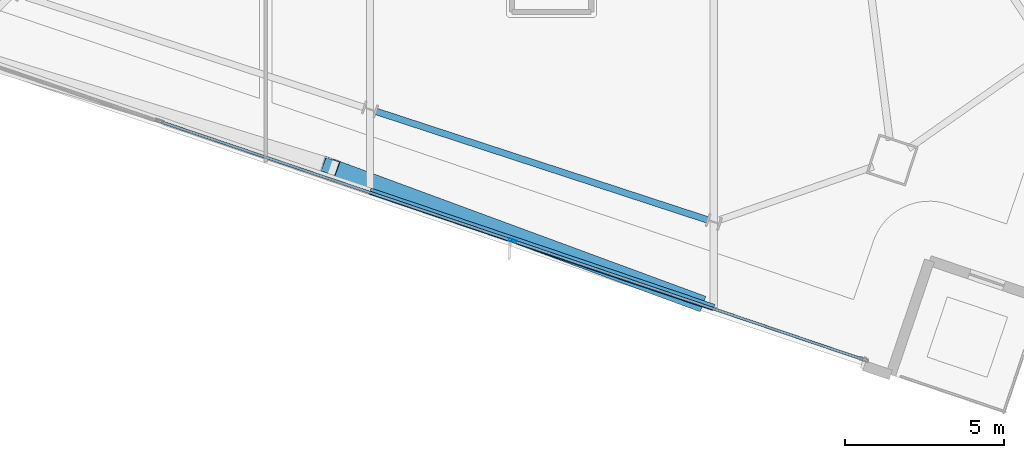
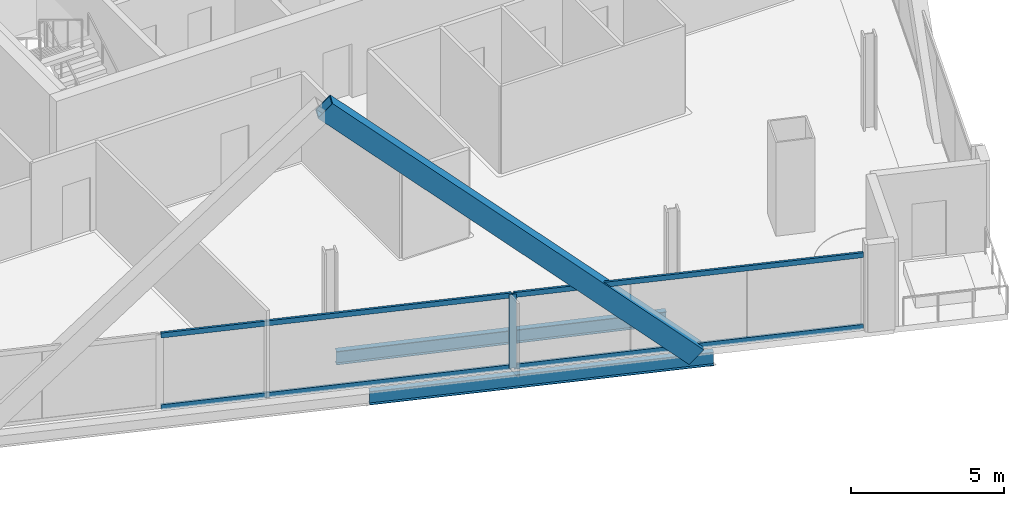
# One storey, part 3 of 29: 6 members, 2 beams, 1 element without a shape of its own.
"""IFC4 building model written with IfcOpenShell, lengths in metres."""

from ifc_helpers import new_model, si_unit, direction, frame, origin, origin_2d, place, context, subcontext, project, spatial, hollow_rectangle, i_section, extrude, material, material_profile, profile_set, type_object, element, aggregate, save


model = new_model("IFC4")

# Units and contexts
model_context = context("Model", 3, precision=1e-05, world=origin(), true_north=direction((0.0, 1.0)))
body_context = subcontext(model_context, "Body", "Model", "MODEL_VIEW")
ifc_project = project(units=[si_unit("LENGTHUNIT", "METRE"), si_unit("AREAUNIT", "SQUARE_METRE"), si_unit("VOLUMEUNIT", "CUBIC_METRE"), si_unit("PLANEANGLEUNIT", "RADIAN"), si_unit("MASSUNIT", "GRAM", prefix="KILO")], contexts=[model_context])

# Site, building, storey
site_placement = place(None, origin())
site = spatial("IfcSite", under=ifc_project, at=site_placement, CompositionType="ELEMENT")
building_placement = place(site_placement, origin())
building = spatial("IfcBuilding", under=site, at=building_placement, Name="Haldenkirk Collegiate Tower", CompositionType="ELEMENT")
storey_placement = place(building_placement, frame((0.0, 0.0, 267.449951171875)))
storey = spatial("IfcBuildingStorey", under=building, at=storey_placement, Name="L67", CompositionType="ELEMENT", Elevation=267.449951171875)

# Beams
ifc_material_1 = material(Name="Steel ASTM A992 Grade 50", Category="steel")
ifc_material_profile_1 = material_profile(ifc_material_1, i_section(OverallWidth=0.2099609375, OverallDepth=0.537109375, WebThickness=0.010986328125, FlangeThickness=0.017333984375, at=origin_2d()), Name="W21X68")
ifc_profile_set_1 = profile_set([ifc_material_profile_1], Name="Steel ASTM A992 Grade 50")
beam_type = type_object("IfcBeamType", Name="BM-SPANDREL-W21X68", PredefinedType="SPANDREL", material=ifc_profile_set_1)
beam_1_placement = place(storey_placement, frame((30.4755859375, 5.97509765625, -0.538330078125), z_axis=(0.95040429397, -0.311017166733, 0.0), x_axis=(0.311017166733, 0.95040429397, 0.0)))
element("IfcBeam", 1, at=beam_1_placement, inside=storey, type_object=beam_type, Name="L67 perimeter spandrel beam 15", PredefinedType="SPANDREL", context=body_context, shape_type="SweptSolid", body=[
    extrude(i_section(OverallWidth=0.2099609375, OverallDepth=0.537109375, WebThickness=0.010986328125, FlangeThickness=0.017333984375, at=origin_2d()), origin(), (0.0, 0.0, 1.0), 10.988037109375),
])
beam_2_placement = place(storey_placement, frame((30.283203125, 3.463134765625, -0.538330078125), z_axis=(0.947210182266, -0.32061327267, 0.0), x_axis=(0.32061327267, 0.947210182266, 0.0)))
element("IfcBeam", 2, at=beam_2_placement, inside=storey, type_object=beam_type, Name="L67 outer facade edge beam 4B", PredefinedType="SPANDREL", context=body_context, shape_type="SweptSolid", body=[
    extrude(i_section(OverallWidth=0.2099609375, OverallDepth=0.537109375, WebThickness=0.010986328125, FlangeThickness=0.017333984375, at=origin_2d()), origin(), (0.0, 0.0, 1.0), 11.431396484375),
])

# Curtain wall, members
ifc_material_2 = material(Name="Anodised architectural bronze aluminium", Category="aluminium")
curtain_wall_type = type_object("IfcCurtainWallType", Name="CW-SYS1B-CONVEX-HI", PredefinedType="USERDEFINED", material=ifc_material_2)
curtain_wall_placement = place(storey_placement, origin())
curtain_wall = element("IfcCurtainWall", 3, at=curtain_wall_placement, inside=storey, type_object=curtain_wall_type, Name="L67 Upper tower high-wind convex bronze unitised curtain wall", ObjectType="UNITISED CURTAIN WALL", PredefinedType="USERDEFINED")
ifc_material_profile_2 = material_profile(ifc_material_2, hollow_rectangle(XDim=0.0849609375, YDim=0.25, WallThickness=0.0048828125, at=origin_2d()), Name="CW-MUL-1B")
ifc_profile_set_2 = profile_set([ifc_material_profile_2], Name="Anodised architectural bronze aluminium")
member_type_1 = type_object("IfcMemberType", Name="CW-MUL-1B", PredefinedType="MULLION", material=ifc_profile_set_2)
member_1_placement = place(storey_placement, frame((34.775390625, 1.900390625, 0.0), z_axis=(0.0, 0.0, 1.0), x_axis=(-0.320611036427, -0.94721093919, 0.0)))
member_1 = element("IfcMember", 4, at=member_1_placement, type_object=member_type_1, Name="CW-1B mullion 2", PredefinedType="MULLION", context=body_context, shape_type="SweptSolid", body=[
    extrude(hollow_rectangle(XDim=0.0849609375, YDim=0.25, WallThickness=0.0048828125, at=origin_2d()), origin(), (0.0, 0.0, 1.0), 2.93798828125),
])
ifc_material_profile_3 = material_profile(ifc_material_2, hollow_rectangle(XDim=0.0849609375, YDim=0.199951171875, WallThickness=0.0048828125, at=origin_2d()), Name="CW-TRN-1B")
ifc_profile_set_3 = profile_set([ifc_material_profile_3], Name="Anodised architectural bronze aluminium")
member_type_2 = type_object("IfcMemberType", Name="CW-TRN-1B", PredefinedType="USERDEFINED", material=ifc_profile_set_3)
member_2_placement = place(storey_placement, frame((45.808837890625, -1.834228515625, 0.04248046875), z_axis=(-0.947211153823, 0.320610402315, 0.0), x_axis=(-0.320610402315, -0.947211153823, 0.0)))
member_2 = element("IfcMember", 5, at=member_2_placement, type_object=member_type_2, Name="CW-1B transom 1.1", ObjectType="TRANSOM", PredefinedType="USERDEFINED", context=body_context, shape_type="SweptSolid", body=[
    extrude(hollow_rectangle(XDim=0.0849609375, YDim=0.199951171875, WallThickness=0.0048828125, at=origin_2d()), origin(), (0.0, 0.0, 1.0), 11.605712890625),
])
member_3_placement = place(storey_placement, frame((45.808837890625, -1.834228515625, 2.8955078125), z_axis=(-0.947211153823, 0.320610402315, 0.0), x_axis=(-0.320610402315, -0.947211153823, 0.0)))
member_3 = element("IfcMember", 6, at=member_3_placement, type_object=member_type_2, Name="CW-1B transom 1.2", ObjectType="TRANSOM", PredefinedType="USERDEFINED", context=body_context, shape_type="SweptSolid", body=[
    extrude(hollow_rectangle(XDim=0.0849609375, YDim=0.199951171875, WallThickness=0.0048828125, at=origin_2d()), origin(), (0.0, 0.0, 1.0), 11.605712890625),
])
member_4_placement = place(storey_placement, frame((34.735107421875, 1.9140625, 0.04248046875), z_axis=(-0.947210192168, 0.320613243414, 0.0), x_axis=(-0.320613243414, -0.947210192168, 0.0)))
member_4 = element("IfcMember", 7, at=member_4_placement, type_object=member_type_2, Name="CW-1B transom 2.1", ObjectType="TRANSOM", PredefinedType="USERDEFINED", context=body_context, shape_type="SweptSolid", body=[
    extrude(hollow_rectangle(XDim=0.0849609375, YDim=0.199951171875, WallThickness=0.0048828125, at=origin_2d()), origin(), (0.0, 0.0, 1.0), 11.6484375),
])
member_5_placement = place(storey_placement, frame((34.735107421875, 1.9140625, 2.8955078125), z_axis=(-0.947210192168, 0.320613243414, 0.0), x_axis=(-0.320613243414, -0.947210192168, 0.0)))
member_5 = element("IfcMember", 8, at=member_5_placement, type_object=member_type_2, Name="CW-1B transom 2.2", ObjectType="TRANSOM", PredefinedType="USERDEFINED", context=body_context, shape_type="SweptSolid", body=[
    extrude(hollow_rectangle(XDim=0.0849609375, YDim=0.199951171875, WallThickness=0.0048828125, at=origin_2d()), origin(), (0.0, 0.0, 1.0), 11.6484375),
])
aggregate(curtain_wall, [member_1, member_2, member_3, member_4, member_5])

# Member
ifc_material_3 = material(Name="Steel ASTM A572 Grade 50", Category="steel")
ifc_material_profile_4 = material_profile(ifc_material_3, hollow_rectangle(XDim=0.52001953125, YDim=0.719970703125, WallThickness=0.035888671875, at=origin_2d()), Name="BOX720X520X36")
ifc_profile_set_4 = profile_set([ifc_material_profile_4], Name="Steel ASTM A572 Grade 50")
member_type_3 = type_object("IfcMemberType", Name="MBR-MEGABRACE-BOX720X520X36", PredefinedType="BRACE", material=ifc_profile_set_4)
member_6_placement = place(storey_placement, frame((40.542724609375, -0.009521484375, -0.280029296875), z_axis=(-0.691622117485, 0.255092936622, 0.675711802687), x_axis=(-0.346045493501, -0.938217734019, 0.0)))
element("IfcMember", 9, at=member_6_placement, inside=storey, type_object=member_type_3, Name="Perimeter Mega Brace Z5 L67-L69 WR", PredefinedType="BRACE", context=body_context, shape_type="SweptSolid", body=[
    extrude(hollow_rectangle(XDim=0.52001953125, YDim=0.719970703125, WallThickness=0.035888671875, at=origin_2d()), origin(), (0.0, 0.0, 1.0), 16.649169921875),
])

save(model, "model.ifc")
